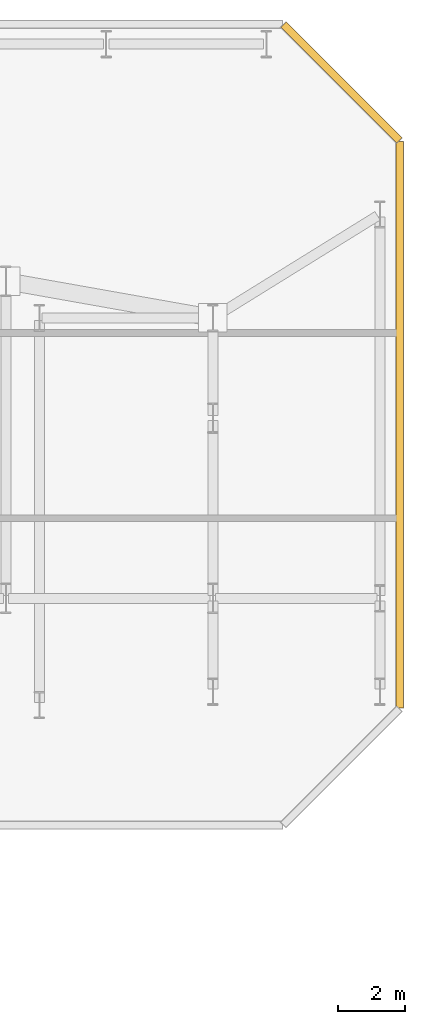
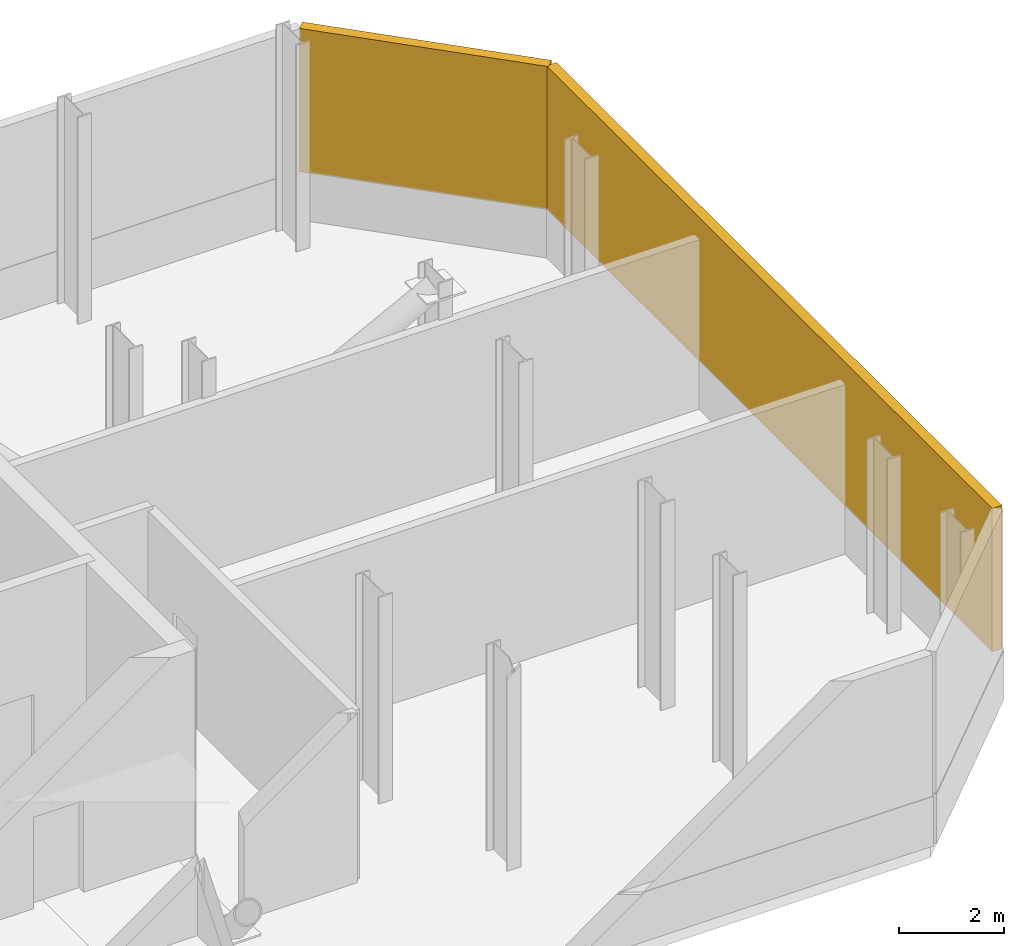
# One storey, part 8 of 8: 2 shading devices.
"""IFC4 building model written with IfcOpenShell, lengths in metres."""

from ifc_helpers import new_model, si_unit, direction, frame, origin, origin_2d, place, context, subcontext, project, spatial, rectangle, extrude, material, type_object, element, save


model = new_model("IFC4")

# Units and contexts
model_context = context("Model", 3, precision=1e-05, world=origin(), true_north=direction((0.0, 1.0)))
body_context = subcontext(model_context, "Body", "Model", "MODEL_VIEW")
ifc_project = project(units=[si_unit("LENGTHUNIT", "METRE"), si_unit("AREAUNIT", "SQUARE_METRE"), si_unit("VOLUMEUNIT", "CUBIC_METRE"), si_unit("PLANEANGLEUNIT", "RADIAN"), si_unit("MASSUNIT", "GRAM", prefix="KILO")], contexts=[model_context])

# Site, building, storey
site_placement = place(None, origin())
site = spatial("IfcSite", under=ifc_project, at=site_placement, CompositionType="ELEMENT")
building_placement = place(site_placement, origin())
building = spatial("IfcBuilding", under=site, at=building_placement, Name="Catumbela Crestline Tower", CompositionType="ELEMENT")
storey_placement = place(building_placement, frame((0.0, 0.0, 79.8)))
storey = spatial("IfcBuildingStorey", under=building, at=storey_placement, Name="L20", CompositionType="ELEMENT", Elevation=79.8)

# Shading devices
ifc_material = material(Name="Aluminium alloy AW-6060-T66", Category="aluminium")
shading_device_type = type_object("IfcShadingDeviceType", Name="SL-PLT", PredefinedType="JALOUSIE", material=ifc_material)
shading_device_1_placement = place(storey_placement, frame((56.0, 36.0, 1.11), z_axis=(0.0, 0.0, 1.0), x_axis=(0.0, 1.0, 0.0)))
element("IfcShadingDevice", 1, at=shading_device_1_placement, inside=storey, type_object=shading_device_type, Name="L20 Acoustic Plant Louvre Bank 7", PredefinedType="JALOUSIE", context=body_context, shape_type="SweptSolid", body=[
    extrude(rectangle(XDim=16.96, YDim=0.22, at=origin_2d()), origin(), (0.0, 0.0, 1.0), 3.33),
])
shading_device_2_placement = place(storey_placement, frame((54.25, 46.25, 1.11), z_axis=(0.0, 0.0, 1.0), x_axis=(-0.707106781187, 0.707106781187, 0.0)))
element("IfcShadingDevice", 2, at=shading_device_2_placement, inside=storey, type_object=shading_device_type, Name="L20 Acoustic Plant Louvre Bank 8", PredefinedType="JALOUSIE", context=body_context, shape_type="SweptSolid", body=[
    extrude(rectangle(XDim=4.9097, YDim=0.22, at=origin_2d()), origin(), (0.0, 0.0, 1.0), 3.33),
])

save(model, "model.ifc")
